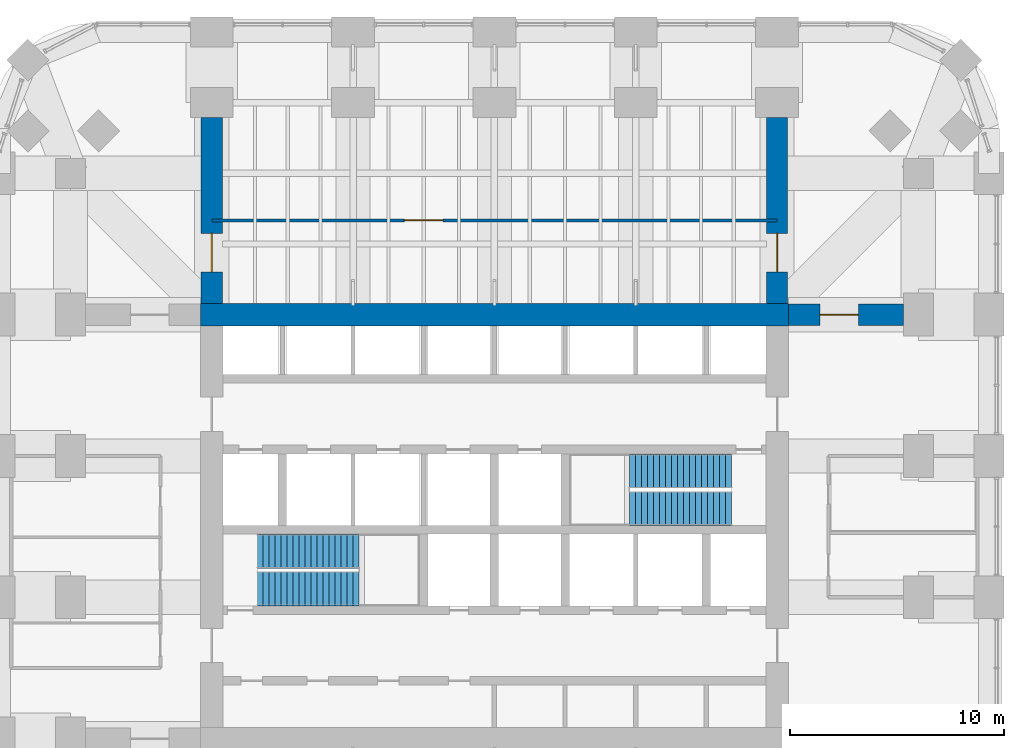
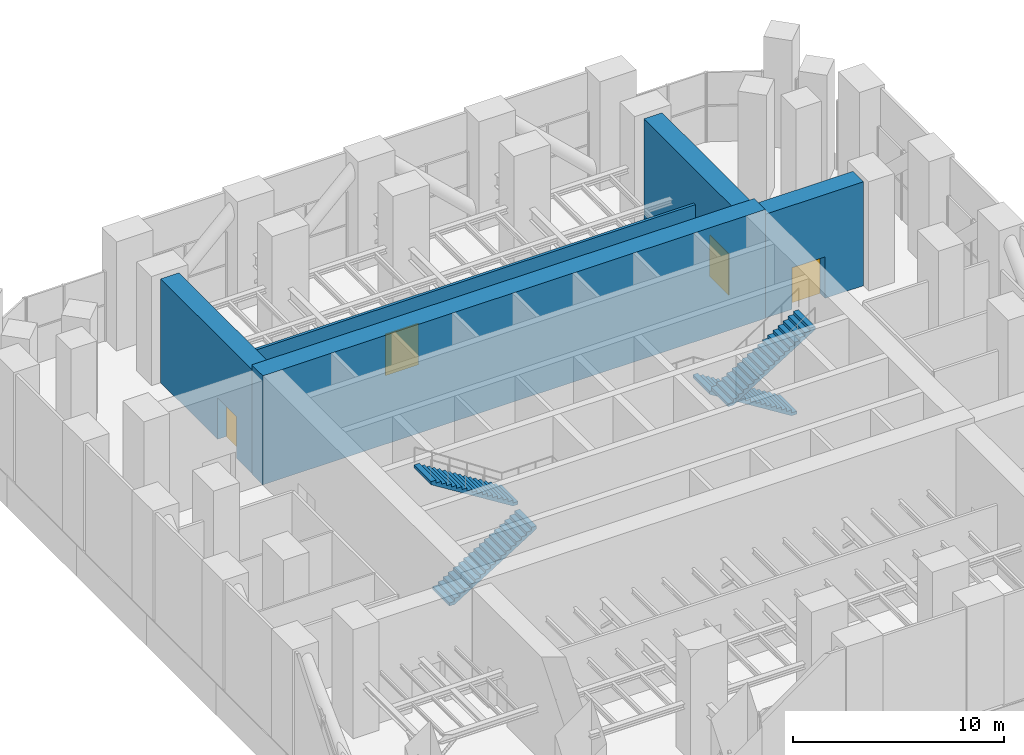
# One storey, part 14 of 16: 5 walls, 4 doors, 4 stair flights, 4 openings, 2 elements without a shape of their own.
"""IFC4 building model written with IfcOpenShell, lengths in metres."""

from ifc_helpers import new_model, si_unit, direction, frame, frame_2d, origin, place, context, subcontext, project, spatial, polyline, rectangle, outline, extrude, material, layer, layer_set, type_object, element, fill, aggregate, save


model = new_model("IFC4")

# Units and contexts
model_context = context("Model", 3, precision=1e-05, world=origin(), true_north=direction((0.0, 1.0)))
body_context = subcontext(model_context, "Body", "Model", "MODEL_VIEW")
ifc_project = project(units=[si_unit("LENGTHUNIT", "METRE"), si_unit("AREAUNIT", "SQUARE_METRE"), si_unit("VOLUMEUNIT", "CUBIC_METRE"), si_unit("PLANEANGLEUNIT", "RADIAN"), si_unit("MASSUNIT", "GRAM", prefix="KILO")], contexts=[model_context])

# Site, building, storey
site_placement = place(None, origin())
site = spatial("IfcSite", under=ifc_project, at=site_placement, CompositionType="ELEMENT")
building_placement = place(site_placement, origin())
building = spatial("IfcBuilding", under=site, at=building_placement, Name="Cobogo Forest Laboratory Tower", CompositionType="ELEMENT")
storey_placement = place(building_placement, frame((0.0, 0.0, 149.39990234375)))
storey = spatial("IfcBuildingStorey", under=building, at=storey_placement, Name="L34", CompositionType="ELEMENT", Elevation=149.39990234375)

# Wall
ifc_material_1 = material(Name="Concrete HA-50 (C50/60)", Category="concrete")
ifc_layer_1 = layer(ifc_material_1, 1.050048828125)
ifc_layer_set_1 = layer_set([ifc_layer_1], Name="CW1050 core outer wall 1050")
wall_type_1 = type_object("IfcWallType", Name="CW1050 core outer wall 1050", PredefinedType="SHEAR", material=ifc_layer_set_1)
wall_1_placement = place(storey_placement, frame((40.125, 33.0, 0.0), z_axis=(0.0, 0.0, 1.0), x_axis=(-1.0, 0.0, 0.0)))
element("IfcWall", 1, at=wall_1_placement, inside=storey, type_object=wall_type_1, Name="Core wall CO-N L34", PredefinedType="SHEAR", context=body_context, shape_type="SweptSolid", body=[
    extrude(rectangle(XDim=27.449951171875, YDim=1.050048828125, at=frame_2d((13.72509765625, 0.0))), origin(), (0.0, 0.0, 1.0), 6.300048828125),
])

# Wall, opening, door
ifc_layer_2 = layer(ifc_material_1, 1.0)
ifc_layer_set_2 = layer_set([ifc_layer_2], Name="Outrigger wall 1000")
wall_type_2 = type_object("IfcWallType", Name="Outrigger wall 1000", PredefinedType="SHEAR", material=ifc_layer_set_2)
wall_2_placement = place(storey_placement, frame((13.199951171875, 33.52490234375, 0.0), z_axis=(0.0, 0.0, 1.0), x_axis=(0.0, 1.0, 0.0)))
wall_2 = element("IfcWall", 2, at=wall_2_placement, inside=storey, type_object=wall_type_2, Name="Outrigger wall OR-N3 L34", PredefinedType="SHEAR", context=body_context, shape_type="SweptSolid", body=[
    extrude(rectangle(XDim=8.675048828125, YDim=1.0, at=frame_2d((4.33740234375, 0.0))), origin(), (0.0, 0.0, 1.0), 6.0),
])
opening_1_placement = place(wall_2_placement, frame((1.47509765625, 0.0, 0.0)))
opening_1 = element("IfcOpeningElement", 3, at=opening_1_placement, cuts=wall_2, Name="Opening L34-D25", PredefinedType="OPENING", context=body_context, shape_type="SweptSolid", body=[
    extrude(rectangle(XDim=1.800048828125, YDim=2.39990234375, at=frame_2d((0.89990234375, 1.199951171875))), frame((0.0, 0.510009765625, 0.0), z_axis=(0.0, -1.0, 0.0), x_axis=(1.0, 0.0, 0.0)), (0.0, 0.0, 1.0), 1.02001953125),
])
ifc_material_2 = material(Name="Steel fire door", Category="steel")
door_type = type_object("IfcDoorType", Name="PD1 plant door pair 1800 EI2 60", OperationType="DOUBLE_DOOR_SINGLE_SWING", PredefinedType="DOOR", material=ifc_material_2)
door_1_placement = place(opening_1_placement, origin())
door_1 = element("IfcDoor", 4, at=door_1_placement, inside=storey, type_object=door_type, Name="Door L34-OR-N3", OperationType="DOUBLE_DOOR_SINGLE_SWING", OverallHeight=2.39990234375, OverallWidth=1.800048828125, PredefinedType="DOOR", context=body_context, shape_type="SweptSolid", body=[
    extrude(rectangle(XDim=1.800048828125, YDim=2.39990234375, at=frame_2d((0.89990234375, 1.199951171875))), frame((0.0, 0.02490234375, 0.0), z_axis=(0.0, -1.0, 0.0), x_axis=(1.0, 0.0, 0.0)), (0.0, 0.0, 1.0), 0.050048828125),
])
fill(opening_1, door_1)

wall_3_placement = place(storey_placement, frame((39.60009765625, 33.52490234375, 0.0), z_axis=(0.0, 0.0, 1.0), x_axis=(0.0, 1.0, 0.0)))
wall_3 = element("IfcWall", 5, at=wall_3_placement, inside=storey, type_object=wall_type_2, Name="Outrigger wall OR-N7 L34", PredefinedType="SHEAR", context=body_context, shape_type="SweptSolid", body=[
    extrude(rectangle(XDim=8.675048828125, YDim=1.0, at=frame_2d((4.33740234375, 0.0))), origin(), (0.0, 0.0, 1.0), 6.0),
])
opening_2_placement = place(wall_3_placement, frame((1.47509765625, 0.0, 0.0)))
opening_2 = element("IfcOpeningElement", 6, at=opening_2_placement, cuts=wall_3, Name="Opening L34-D26", PredefinedType="OPENING", context=body_context, shape_type="SweptSolid", body=[
    extrude(rectangle(XDim=1.800048828125, YDim=2.39990234375, at=frame_2d((0.89990234375, 1.199951171875))), frame((0.0, 0.510009765625, 0.0), z_axis=(0.0, -1.0, 0.0), x_axis=(1.0, 0.0, 0.0)), (0.0, 0.0, 1.0), 1.02001953125),
])
door_2_placement = place(opening_2_placement, origin())
door_2 = element("IfcDoor", 7, at=door_2_placement, inside=storey, type_object=door_type, Name="Door L34-OR-N7", OperationType="DOUBLE_DOOR_SINGLE_SWING", OverallHeight=2.39990234375, OverallWidth=1.800048828125, PredefinedType="DOOR", context=body_context, shape_type="SweptSolid", body=[
    extrude(rectangle(XDim=1.800048828125, YDim=2.39990234375, at=frame_2d((0.89990234375, 1.199951171875))), frame((0.0, 0.02490234375, 0.0), z_axis=(0.0, -1.0, 0.0), x_axis=(1.0, 0.0, 0.0)), (0.0, 0.0, 1.0), 0.050048828125),
])
fill(opening_2, door_2)

wall_4_placement = place(storey_placement, frame((40.125, 33.0, 0.0), z_axis=(0.0, 0.0, 1.0), x_axis=(1.0, 0.0, 0.0)))
wall_4 = element("IfcWall", 8, at=wall_4_placement, inside=storey, type_object=wall_type_2, Name="Outrigger wall OR-EF L34", PredefinedType="SHEAR", context=body_context, shape_type="SweptSolid", body=[
    extrude(rectangle(XDim=5.375, YDim=1.0, at=frame_2d((2.6875, 0.0))), origin(), (0.0, 0.0, 1.0), 6.0),
])
opening_3_placement = place(wall_4_placement, frame((1.47509765625, 0.0, 0.0)))
opening_3 = element("IfcOpeningElement", 9, at=opening_3_placement, cuts=wall_4, Name="Opening L34-D24", PredefinedType="OPENING", context=body_context, shape_type="SweptSolid", body=[
    extrude(rectangle(XDim=1.800048828125, YDim=2.39990234375, at=frame_2d((0.89990234375, 1.199951171875))), frame((0.0, 0.510009765625, 0.0), z_axis=(0.0, -1.0, 0.0), x_axis=(1.0, 0.0, 0.0)), (0.0, 0.0, 1.0), 1.02001953125),
])
door_3_placement = place(opening_3_placement, origin())
door_3 = element("IfcDoor", 10, at=door_3_placement, inside=storey, type_object=door_type, Name="Door L34-OR-EF", OperationType="DOUBLE_DOOR_SINGLE_SWING", OverallHeight=2.39990234375, OverallWidth=1.800048828125, PredefinedType="DOOR", context=body_context, shape_type="SweptSolid", body=[
    extrude(rectangle(XDim=1.800048828125, YDim=2.39990234375, at=frame_2d((0.89990234375, 1.199951171875))), frame((0.0, 0.02490234375, 0.0), z_axis=(0.0, -1.0, 0.0), x_axis=(1.0, 0.0, 0.0)), (0.0, 0.0, 1.0), 0.050048828125),
])
fill(opening_3, door_3)

ifc_material_3 = material(Name="Gypsum board on steel studs", Category="steel")
ifc_layer_3 = layer(ifc_material_3, 0.14990234375)
ifc_layer_set_3 = layer_set([ifc_layer_3], Name="PT1 laboratory partition 150")
wall_type_3 = type_object("IfcWallType", Name="PT1 laboratory partition 150", PredefinedType="PARTITIONING", material=ifc_layer_set_3)
wall_5_placement = place(storey_placement, frame((13.199951171875, 37.39990234375, 0.0), z_axis=(0.0, 0.0, 1.0), x_axis=(1.0, 0.0, 0.0)))
wall_5 = element("IfcWall", 11, at=wall_5_placement, inside=storey, type_object=wall_type_3, Name="Partition PL-N L34", PredefinedType="PARTITIONING", context=body_context, shape_type="SweptSolid", body=[
    extrude(rectangle(XDim=26.400146484375, YDim=0.14990234375, at=frame_2d((13.2001953125, 0.0))), origin(), (0.0, 0.0, 1.0), 4.0),
])
opening_4_placement = place(wall_5_placement, frame((9.0, 0.0, 0.0)))
opening_4 = element("IfcOpeningElement", 12, at=opening_4_placement, cuts=wall_5, Name="Opening L34-D27", PredefinedType="OPENING", context=body_context, shape_type="SweptSolid", body=[
    extrude(rectangle(XDim=1.800048828125, YDim=2.39990234375, at=frame_2d((0.89990234375, 1.199951171875))), frame((0.0, 0.0849609375, 0.0), z_axis=(0.0, -1.0, 0.0), x_axis=(1.0, 0.0, 0.0)), (0.0, 0.0, 1.0), 0.169921875),
])
door_4_placement = place(opening_4_placement, origin())
door_4 = element("IfcDoor", 13, at=door_4_placement, inside=storey, type_object=door_type, Name="Door L34-NI", OperationType="DOUBLE_DOOR_SINGLE_SWING", OverallHeight=2.39990234375, OverallWidth=1.800048828125, PredefinedType="DOOR", context=body_context, shape_type="SweptSolid", body=[
    extrude(rectangle(XDim=1.800048828125, YDim=2.39990234375, at=frame_2d((0.89990234375, 1.199951171875))), frame((0.0, 0.02490234375, 0.0), z_axis=(0.0, -1.0, 0.0), x_axis=(1.0, 0.0, 0.0)), (0.0, 0.0, 1.0), 0.050048828125),
])
fill(opening_4, door_4)

# Stair, stair flights
ifc_material_4 = material(Name="Precast concrete HA-40 (C40/50)", Category="concrete")
stair_type = type_object("IfcStairType", Name="ST36 exit stair 36 risers", PredefinedType="HALF_TURN_STAIR", material=ifc_material_4)
stair_1_placement = place(storey_placement, origin())
stair_1 = element("IfcStair", 14, at=stair_1_placement, inside=storey, type_object=stair_type, Name="Stair 1 L34 to L35", PredefinedType="HALF_TURN_STAIR")
stair_flight_type = type_object("IfcStairFlightType", Name="ST stair flight 280 going", PredefinedType="STRAIGHT", material=ifc_material_4)
stair_flight_1_placement = place(storey_placement, frame((15.324951171875, 20.199951171875, 0.0), z_axis=(0.0, 0.0, 1.0), x_axis=(1.0, 0.0, 0.0)))
stair_flight_1 = element("IfcStairFlight", 15, at=stair_flight_1_placement, type_object=stair_flight_type, Name="ST1 flight 1", NumberOfRisers=18, NumberOfTreads=17, PredefinedType="STRAIGHT", RiserHeight=0.175, TreadLength=0.28, context=body_context, shape_type="SweptSolid", body=[
    extrude(outline(polyline([(0.0, 0.0), (0.0, 0.175048828125), (0.280029296875, 0.175048828125), (0.280029296875, 0.35009765625), (0.56005859375, 0.35009765625), (0.56005859375, 0.52490234375), (0.840087890625, 0.52490234375), (0.840087890625, 0.699951171875), (1.1201171875, 0.699951171875), (1.1201171875, 0.875), (1.39990234375, 0.875), (1.39990234375, 1.050048828125), (1.679931640625, 1.050048828125), (1.679931640625, 1.22509765625), (1.9599609375, 1.22509765625), (1.9599609375, 1.39990234375), (2.239990234375, 1.39990234375), (2.239990234375, 1.574951171875), (2.52001953125, 1.574951171875), (2.52001953125, 1.75), (2.800048828125, 1.75), (2.800048828125, 1.925048828125), (3.080078125, 1.925048828125), (3.080078125, 2.10009765625), (3.360107421875, 2.10009765625), (3.360107421875, 2.27490234375), (3.639892578125, 2.27490234375), (3.639892578125, 2.449951171875), (3.919921875, 2.449951171875), (3.919921875, 2.625), (4.199951171875, 2.625), (4.199951171875, 2.800048828125), (4.47998046875, 2.800048828125), (4.47998046875, 2.97509765625), (4.760009765625, 2.97509765625), (4.760009765625, 3.14990234375), (4.760009765625, 2.79833984375), (0.28271484375, 0.0), (0.0, 0.0)])), frame((0.0, 0.800048828125, 0.0), z_axis=(0.0, -1.0, 0.0), x_axis=(1.0, 0.0, 0.0)), (0.0, 0.0, 1.0), 1.60009765625),
])
stair_flight_2_placement = place(storey_placement, frame((20.0849609375, 21.949951171875, 3.150146484375), z_axis=(0.0, 0.0, 1.0), x_axis=(-1.0, 0.0, 0.0)))
stair_flight_2 = element("IfcStairFlight", 16, at=stair_flight_2_placement, type_object=stair_flight_type, Name="ST1 flight 2", NumberOfRisers=18, NumberOfTreads=17, PredefinedType="STRAIGHT", RiserHeight=0.175, TreadLength=0.28, context=body_context, shape_type="SweptSolid", body=[
    extrude(outline(polyline([(0.0, 0.0), (0.0, 0.175048828125), (0.280029296875, 0.175048828125), (0.280029296875, 0.35009765625), (0.56005859375, 0.35009765625), (0.56005859375, 0.52490234375), (0.840087890625, 0.52490234375), (0.840087890625, 0.699951171875), (1.1201171875, 0.699951171875), (1.1201171875, 0.875), (1.39990234375, 0.875), (1.39990234375, 1.050048828125), (1.679931640625, 1.050048828125), (1.679931640625, 1.22509765625), (1.9599609375, 1.22509765625), (1.9599609375, 1.39990234375), (2.239990234375, 1.39990234375), (2.239990234375, 1.574951171875), (2.52001953125, 1.574951171875), (2.52001953125, 1.75), (2.800048828125, 1.75), (2.800048828125, 1.925048828125), (3.080078125, 1.925048828125), (3.080078125, 2.10009765625), (3.360107421875, 2.10009765625), (3.360107421875, 2.27490234375), (3.639892578125, 2.27490234375), (3.639892578125, 2.449951171875), (3.919921875, 2.449951171875), (3.919921875, 2.625), (4.199951171875, 2.625), (4.199951171875, 2.800048828125), (4.47998046875, 2.800048828125), (4.47998046875, 2.97509765625), (4.760009765625, 2.97509765625), (4.760009765625, 3.14990234375), (4.760009765625, 2.79833984375), (0.28271484375, 0.0), (0.0, 0.0)])), frame((0.0, 0.800048828125, 0.0), z_axis=(0.0, -1.0, 0.0), x_axis=(1.0, 0.0, 0.0)), (0.0, 0.0, 1.0), 1.60009765625),
])
aggregate(stair_1, [stair_flight_1, stair_flight_2])

stair_2_placement = place(storey_placement, origin())
stair_2 = element("IfcStair", 17, at=stair_2_placement, inside=storey, type_object=stair_type, Name="Stair 2 L34 to L35", PredefinedType="HALF_TURN_STAIR")
stair_flight_3_placement = place(storey_placement, frame((37.47509765625, 25.699951171875, 0.0), z_axis=(0.0, 0.0, 1.0), x_axis=(-1.0, 0.0, 0.0)))
stair_flight_3 = element("IfcStairFlight", 18, at=stair_flight_3_placement, type_object=stair_flight_type, Name="ST2 flight 1", NumberOfRisers=18, NumberOfTreads=17, PredefinedType="STRAIGHT", RiserHeight=0.175, TreadLength=0.28, context=body_context, shape_type="SweptSolid", body=[
    extrude(outline(polyline([(0.0, 0.0), (0.0, 0.175048828125), (0.280029296875, 0.175048828125), (0.280029296875, 0.35009765625), (0.56005859375, 0.35009765625), (0.56005859375, 0.52490234375), (0.840087890625, 0.52490234375), (0.840087890625, 0.699951171875), (1.1201171875, 0.699951171875), (1.1201171875, 0.875), (1.39990234375, 0.875), (1.39990234375, 1.050048828125), (1.679931640625, 1.050048828125), (1.679931640625, 1.22509765625), (1.9599609375, 1.22509765625), (1.9599609375, 1.39990234375), (2.239990234375, 1.39990234375), (2.239990234375, 1.574951171875), (2.52001953125, 1.574951171875), (2.52001953125, 1.75), (2.800048828125, 1.75), (2.800048828125, 1.925048828125), (3.080078125, 1.925048828125), (3.080078125, 2.10009765625), (3.360107421875, 2.10009765625), (3.360107421875, 2.27490234375), (3.639892578125, 2.27490234375), (3.639892578125, 2.449951171875), (3.919921875, 2.449951171875), (3.919921875, 2.625), (4.199951171875, 2.625), (4.199951171875, 2.800048828125), (4.47998046875, 2.800048828125), (4.47998046875, 2.97509765625), (4.760009765625, 2.97509765625), (4.760009765625, 3.14990234375), (4.760009765625, 2.79833984375), (0.28271484375, 0.0), (0.0, 0.0)])), frame((0.0, 0.800048828125, 0.0), z_axis=(0.0, -1.0, 0.0), x_axis=(1.0, 0.0, 0.0)), (0.0, 0.0, 1.0), 1.60009765625),
])
stair_flight_4_placement = place(storey_placement, frame((32.715087890625, 23.949951171875, 3.150146484375), z_axis=(0.0, 0.0, 1.0), x_axis=(1.0, 0.0, 0.0)))
stair_flight_4 = element("IfcStairFlight", 19, at=stair_flight_4_placement, type_object=stair_flight_type, Name="ST2 flight 2", NumberOfRisers=18, NumberOfTreads=17, PredefinedType="STRAIGHT", RiserHeight=0.175, TreadLength=0.28, context=body_context, shape_type="SweptSolid", body=[
    extrude(outline(polyline([(0.0, 0.0), (0.0, 0.175048828125), (0.280029296875, 0.175048828125), (0.280029296875, 0.35009765625), (0.56005859375, 0.35009765625), (0.56005859375, 0.52490234375), (0.840087890625, 0.52490234375), (0.840087890625, 0.699951171875), (1.1201171875, 0.699951171875), (1.1201171875, 0.875), (1.39990234375, 0.875), (1.39990234375, 1.050048828125), (1.679931640625, 1.050048828125), (1.679931640625, 1.22509765625), (1.9599609375, 1.22509765625), (1.9599609375, 1.39990234375), (2.239990234375, 1.39990234375), (2.239990234375, 1.574951171875), (2.52001953125, 1.574951171875), (2.52001953125, 1.75), (2.800048828125, 1.75), (2.800048828125, 1.925048828125), (3.080078125, 1.925048828125), (3.080078125, 2.10009765625), (3.360107421875, 2.10009765625), (3.360107421875, 2.27490234375), (3.639892578125, 2.27490234375), (3.639892578125, 2.449951171875), (3.919921875, 2.449951171875), (3.919921875, 2.625), (4.199951171875, 2.625), (4.199951171875, 2.800048828125), (4.47998046875, 2.800048828125), (4.47998046875, 2.97509765625), (4.760009765625, 2.97509765625), (4.760009765625, 3.14990234375), (4.760009765625, 2.79833984375), (0.28271484375, 0.0), (0.0, 0.0)])), frame((0.0, 0.800048828125, 0.0), z_axis=(0.0, -1.0, 0.0), x_axis=(1.0, 0.0, 0.0)), (0.0, 0.0, 1.0), 1.60009765625),
])
aggregate(stair_2, [stair_flight_3, stair_flight_4])

save(model, "model.ifc")
